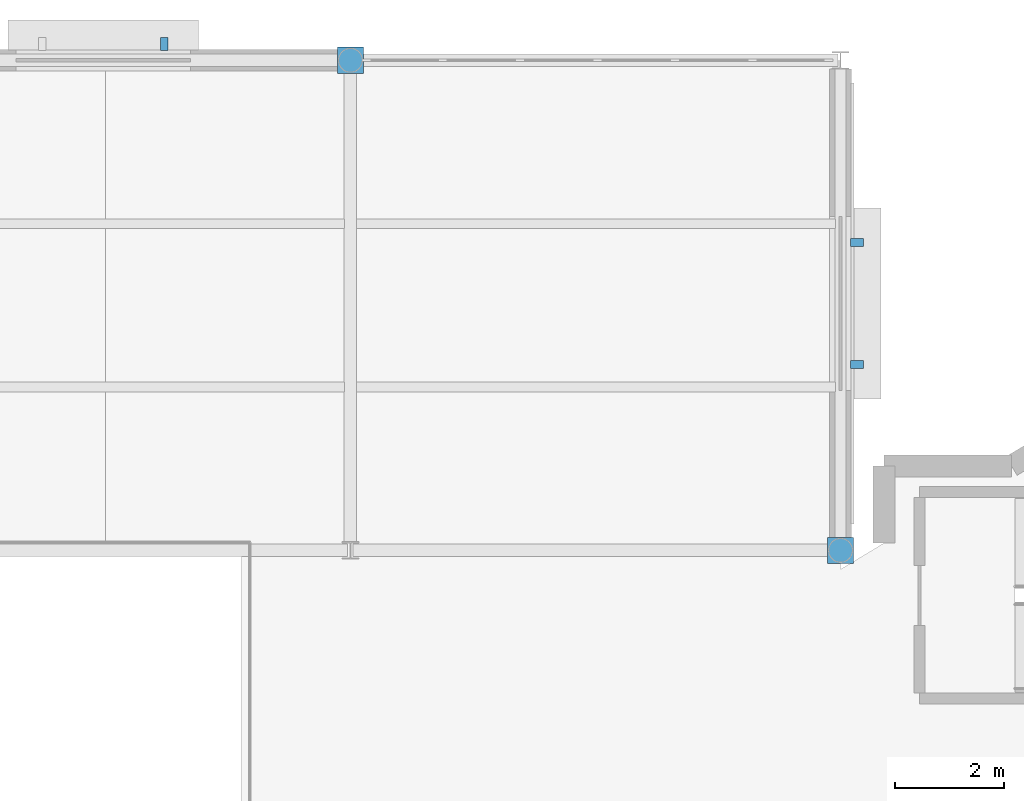
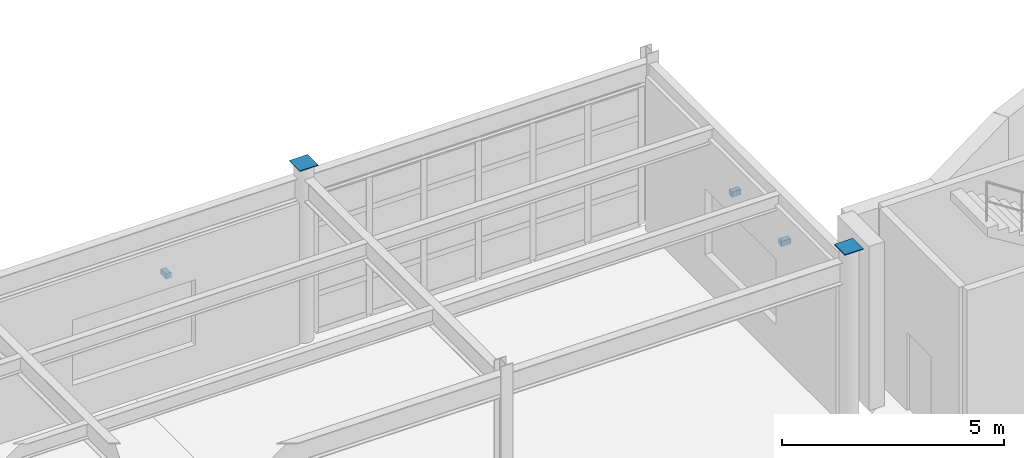
# One storey, part 76 of 86: 5 discrete accessories.
"""IFC4 building model written with IfcOpenShell, lengths in metres."""

from ifc_helpers import new_model, si_unit, direction, frame, origin, origin_2d, place, context, subcontext, project, spatial, rectangle, extrude, material, type_object, element, save


model = new_model("IFC4")

# Units and contexts
model_context = context("Model", 3, precision=1e-05, world=origin(), true_north=direction((0.0, 1.0)))
body_context = subcontext(model_context, "Body", "Model", "MODEL_VIEW")
ifc_project = project(units=[si_unit("LENGTHUNIT", "METRE"), si_unit("AREAUNIT", "SQUARE_METRE"), si_unit("VOLUMEUNIT", "CUBIC_METRE"), si_unit("PLANEANGLEUNIT", "RADIAN"), si_unit("MASSUNIT", "GRAM", prefix="KILO")], contexts=[model_context])

# Site, building, storey
site_placement = place(None, origin())
site = spatial("IfcSite", under=ifc_project, at=site_placement, CompositionType="ELEMENT")
building_placement = place(site_placement, origin())
building = spatial("IfcBuilding", under=site, at=building_placement, Name="Glasvene Arena", CompositionType="ELEMENT")
storey_placement = place(building_placement, frame((0.0, 0.0, 5.39990234375)))
storey = spatial("IfcBuildingStorey", under=building, at=storey_placement, Name="L01", CompositionType="ELEMENT", Elevation=5.39990234375)

# Discrete accessories
ifc_material_1 = material(Name="Steel S355J2", Category="steel")
discrete_accessory_type_1 = type_object("IfcDiscreteAccessoryType", Name="ACC-CAP-CHS420", PredefinedType="USERDEFINED", material=ifc_material_1)
for number, where, z_axis, x_axis, name in (
    (1, (36.0, 118.0, 4.798095703125), (0.0, 0.0, 1.0), (1.0, 0.0, 0.0), "Hollow column top cap plate 5-14 L01"),
    (2, (45.0, 109.0, 4.798095703125), (0.0, 0.0, 1.0), (1.0, 0.0, 0.0), "Hollow column top cap plate 6-13 L01"),
):
    element("IfcDiscreteAccessory", number, at=place(storey_placement, frame(where, z_axis=z_axis, x_axis=x_axis)), inside=storey, type_object=discrete_accessory_type_1, Name=name, ObjectType="CAP PLATE", PredefinedType="USERDEFINED", context=body_context, shape_type="SweptSolid", body=[
        extrude(rectangle(XDim=0.47998046875, YDim=0.47998046875, at=origin_2d()), origin(), (0.0, 0.0, 1.0), 0.02001953125),
    ])
ifc_material_2 = material(Name="Warm bronze architectural aluminium", Category="aluminium")
discrete_accessory_type_2 = type_object("IfcDiscreteAccessoryType", Name="ACC-FIN-BRK", PredefinedType="BRACKET", material=ifc_material_2)
for number, where, z_axis, x_axis, name in (
    (3, (32.5830078125, 118.300048828125, 2.72021484375), (0.0, 0.0, 1.0), (1.0, 0.0, 0.0), "Brise-soleil wall bracket BK-016"),
    (4, (45.300048828125, 114.654052734375, 2.72021484375), (0.0, 0.0, 1.0), (0.0, -1.0, 0.0), "Brise-soleil wall bracket BK-017"),
    (5, (45.300048828125, 112.4140625, 2.72021484375), (0.0, 0.0, 1.0), (0.0, -1.0, 0.0), "Brise-soleil wall bracket BK-017"),
):
    element("IfcDiscreteAccessory", number, at=place(storey_placement, frame(where, z_axis=z_axis, x_axis=x_axis)), inside=storey, type_object=discrete_accessory_type_2, Name=name, PredefinedType="BRACKET", context=body_context, shape_type="SweptSolid", body=[
        extrude(rectangle(XDim=0.139892578125, YDim=0.239990234375, at=origin_2d()), origin(), (0.0, 0.0, 1.0), 0.139892578125),
    ])

save(model, "model.ifc")
